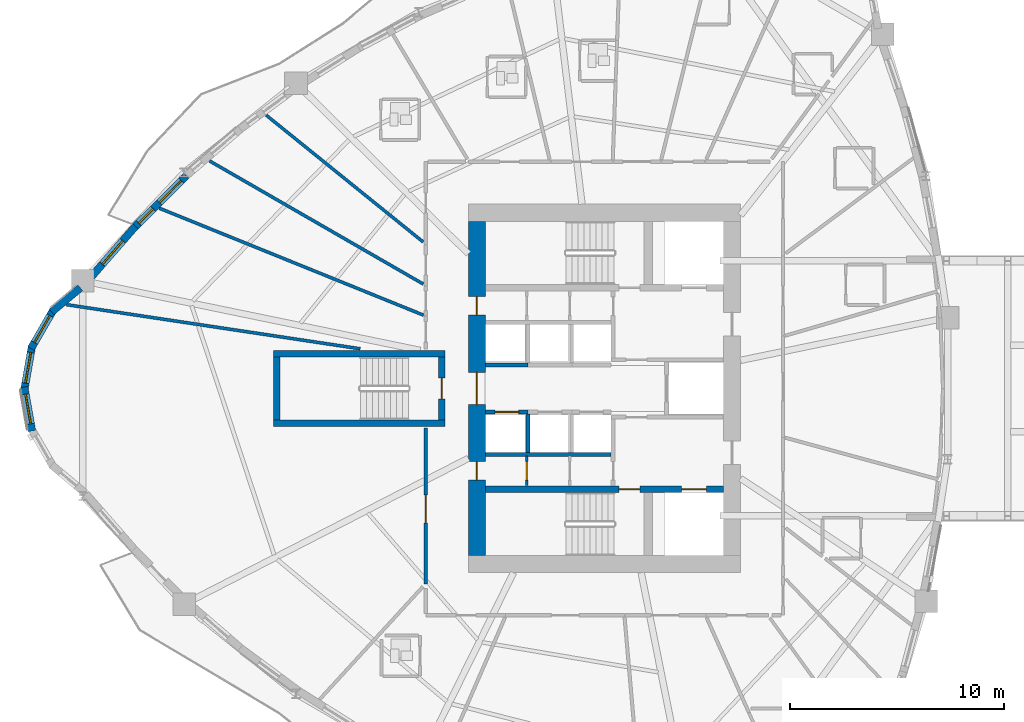
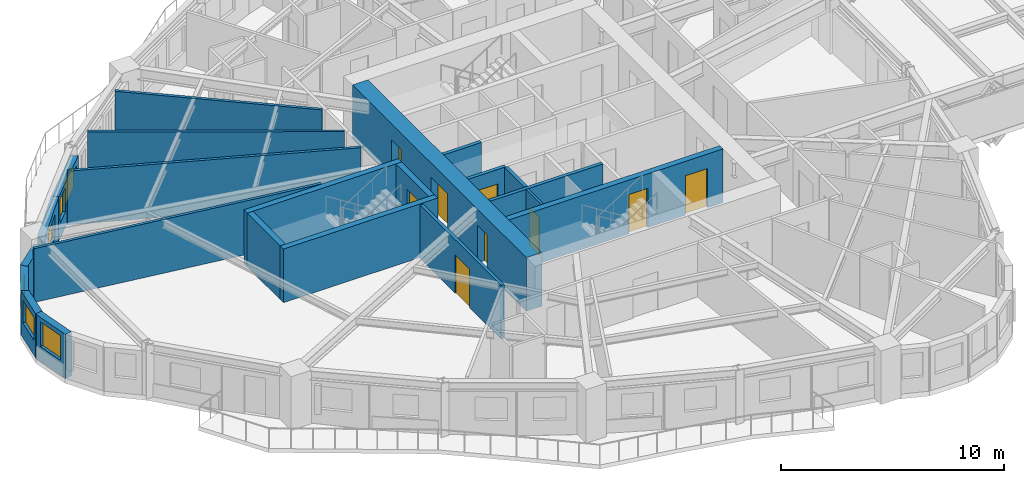
# One storey, part 5 of 16: 22 walls, 9 doors, 6 windows, 15 openings.
"""IFC4 building model written with IfcOpenShell, lengths in metres."""

from ifc_helpers import new_model, si_unit, direction, frame, frame_2d, origin, place, context, subcontext, project, spatial, rectangle, extrude, source, transform, mapped, material, layer, layer_set, type_object, element, fill, save


model = new_model("IFC4")

# Units and contexts
model_context = context("Model", 3, precision=1e-05, world=origin(), true_north=direction((0.0, 1.0)))
body_context = subcontext(model_context, "Body", "Model", "MODEL_VIEW")
ifc_project = project(units=[si_unit("LENGTHUNIT", "METRE"), si_unit("AREAUNIT", "SQUARE_METRE"), si_unit("VOLUMEUNIT", "CUBIC_METRE"), si_unit("PLANEANGLEUNIT", "RADIAN"), si_unit("MASSUNIT", "GRAM", prefix="KILO")], contexts=[model_context])

# Site, building, storey
site_placement = place(None, origin())
site = spatial("IfcSite", under=ifc_project, at=site_placement, CompositionType="ELEMENT")
building_placement = place(site_placement, origin())
building = spatial("IfcBuilding", under=site, at=building_placement, Name="Qafzar Sky-Pleat Residences", CompositionType="ELEMENT")
storey_placement = place(building_placement, frame((0.0, 0.0, 33.39990234375)))
storey = spatial("IfcBuildingStorey", under=building, at=storey_placement, Name="L09", CompositionType="ELEMENT", Elevation=33.39990234375)

# Wall, opening, door
ifc_material_1 = material(Name="Acoustic gypsum plasterboard partition", Category="gypsum")
ifc_layer_1 = layer(ifc_material_1, 0.159912109375)
ifc_layer_set_1 = layer_set([ifc_layer_1], Name="Acoustic gypsum plasterboard partition")
wall_type_1 = type_object("IfcWallType", Name="PART-COR-160", PredefinedType="PARTITIONING", material=ifc_layer_set_1)
wall_1_placement = place(storey_placement, frame((22.02001953125, 16.883056640625, 0.0), z_axis=(0.0, 0.0, 1.0), x_axis=(0.0, 1.0, 0.0)))
wall_1 = element("IfcWall", 1, at=wall_1_placement, inside=storey, type_object=wall_type_1, Name="L09 Partition Wall PART-L09-PW-002", PredefinedType="PARTITIONING", context=body_context, shape_type="SweptSolid", body=[
    extrude(rectangle(XDim=7.266845703125, YDim=0.159912109375, at=frame_2d((3.63330078125, 0.0))), origin(), (0.0, 0.0, 1.0), 2.940185546875),
])
opening_1_placement = place(wall_1_placement, frame((2.844970703125, 0.0, 0.0)))
opening_1 = element("IfcOpeningElement", 2, at=opening_1_placement, cuts=wall_1, Name="Opening ID-05", PredefinedType="OPENING", context=body_context, shape_type="SweptSolid", body=[
    extrude(rectangle(XDim=1.300048828125, YDim=2.10009765625, at=frame_2d((0.64990234375, 1.050048828125))), frame((0.0, 0.08984375, 0.0), z_axis=(0.0, -1.0, 0.0), x_axis=(1.0, 0.0, 0.0)), (0.0, 0.0, 1.0), 0.179931640625),
])
ifc_material_2 = material(Name="Timber-faced fire door", Category="wood")
door_type_1 = type_object("IfcDoorType", Name="DR-LNG-1300", OperationType="DOUBLE_DOOR_SINGLE_SWING", PredefinedType="DOOR", material=ifc_material_2)
shared_shape_1 = source(origin(), body_context, "Body", "SweptSolid", [
    extrude(rectangle(XDim=1.300048828125, YDim=2.10009765625, at=frame_2d((0.64990234375, 1.050048828125))), frame((0.0, 0.02490234375, 0.0), z_axis=(0.0, -1.0, 0.0), x_axis=(1.0, 0.0, 0.0)), (0.0, 0.0, 1.0), 0.050048828125),
])
door_1_placement = place(opening_1_placement, origin())
door_1 = element("IfcDoor", 3, at=door_1_placement, inside=storey, type_object=door_type_1, Name="L09 Academic Seminar Room Door", OperationType="DOUBLE_DOOR_SINGLE_SWING", OverallHeight=2.10009765625, OverallWidth=1.300048828125, PredefinedType="DOOR", context=body_context, shape_type="MappedRepresentation", body=[
    mapped(shared_shape_1, transform((0.0, 0.0, 0.0), x_axis=(1.0, 0.0, 0.0), y_axis=(0.0, 1.0, 0.0), z_axis=(0.0, 0.0, 1.0), scale=1.0)),
])
fill(opening_1, door_1)

# Wall
ifc_material_3 = material(Name="Concrete blockwork partition", Category="masonry")
ifc_layer_2 = layer(ifc_material_3, 0.179931640625)
ifc_layer_set_2 = layer_set([ifc_layer_2], Name="Concrete blockwork partition")
wall_type_2 = type_object("IfcWallType", Name="PART-SHAFT-180", PredefinedType="PARTITIONING", material=ifc_layer_set_2)
wall_2_placement = place(storey_placement, frame((24.81005859375, 22.919921875, 0.0), z_axis=(0.0, 0.0, 1.0), x_axis=(1.0, 0.0, 0.0)))
element("IfcWall", 4, at=wall_2_placement, inside=storey, type_object=wall_type_2, Name="L09 Partition Wall PART-L09-P13-S", PredefinedType="PARTITIONING", context=body_context, shape_type="SweptSolid", body=[
    extrude(rectangle(XDim=5.83984375, YDim=0.179931640625, at=frame_2d((2.919921875, 0.0))), origin(), (0.0, 0.0, 1.0), 2.940185546875),
])

# Wall, opening, door
wall_3_placement = place(storey_placement, frame((24.81005859375, 24.89990234375, 0.0), z_axis=(0.0, 0.0, 1.0), x_axis=(1.0, 0.0, 0.0)))
wall_3 = element("IfcWall", 5, at=wall_3_placement, inside=storey, type_object=wall_type_2, Name="L09 Partition Wall PART-L09-P1-N", PredefinedType="PARTITIONING", context=body_context, shape_type="SweptSolid", body=[
    extrude(rectangle(XDim=1.96484375, YDim=0.179931640625, at=frame_2d((0.982421875, 0.0))), origin(), (0.0, 0.0, 1.0), 2.940185546875),
])
opening_2_placement = place(wall_3_placement, frame((0.4326171875, 0.0, 0.0)))
opening_2 = element("IfcOpeningElement", 6, at=opening_2_placement, cuts=wall_3, Name="Opening LD-01", PredefinedType="OPENING", context=body_context, shape_type="SweptSolid", body=[
    extrude(rectangle(XDim=1.10009765625, YDim=2.14990234375, at=frame_2d((0.550048828125, 1.074951171875))), frame((0.0, 0.10009765625, 0.0), z_axis=(0.0, -1.0, 0.0), x_axis=(1.0, 0.0, 0.0)), (0.0, 0.0, 1.0), 0.199951171875),
])
ifc_material_4 = material(Name="Stainless steel sliding landing door", Category="steel")
door_type_2 = type_object("IfcDoorType", Name="DR-LIFT-P", OperationType="DOUBLE_DOOR_SLIDING", PredefinedType="DOOR", material=ifc_material_4)
shared_shape_2 = source(origin(), body_context, "Body", "SweptSolid", [
    extrude(rectangle(XDim=1.10009765625, YDim=2.14990234375, at=frame_2d((0.550048828125, 1.074951171875))), frame((0.0, 0.02490234375, 0.0), z_axis=(0.0, -1.0, 0.0), x_axis=(1.0, 0.0, 0.0)), (0.0, 0.0, 1.0), 0.050048828125),
])
door_2_placement = place(opening_2_placement, origin())
door_2 = element("IfcDoor", 7, at=door_2_placement, inside=storey, type_object=door_type_2, Name="L09 Passenger Lift P1 Landing Door", OperationType="DOUBLE_DOOR_SLIDING", OverallHeight=2.14990234375, OverallWidth=1.10009765625, PredefinedType="DOOR", context=body_context, shape_type="MappedRepresentation", body=[
    mapped(shared_shape_2, transform((0.0, 0.0, 0.0), x_axis=(1.0, 0.0, 0.0), y_axis=(0.0, 1.0, 0.0), z_axis=(0.0, 0.0, 1.0), scale=1.0)),
])
fill(opening_2, door_2)

# Walls
wall_4_placement = place(storey_placement, frame((26.77490234375, 23.02001953125, 0.0), z_axis=(0.0, 0.0, 1.0), x_axis=(0.0, 1.0, 0.0)))
element("IfcWall", 8, at=wall_4_placement, inside=storey, type_object=wall_type_2, Name="L09 Partition Wall PART-L09-P13-DIV-1", PredefinedType="PARTITIONING", context=body_context, shape_type="SweptSolid", body=[
    extrude(rectangle(XDim=1.780029296875, YDim=0.179931640625, at=frame_2d((0.89013671875, 0.0))), origin(), (0.0, 0.0, 1.0), 2.940185546875),
])
wall_5_placement = place(storey_placement, frame((24.81005859375, 27.10009765625, 0.0), z_axis=(0.0, 0.0, 1.0), x_axis=(1.0, 0.0, 0.0)))
element("IfcWall", 9, at=wall_5_placement, inside=storey, type_object=wall_type_2, Name="L09 Partition Wall PART-L09-P4-S", PredefinedType="PARTITIONING", context=body_context, shape_type="SweptSolid", body=[
    extrude(rectangle(XDim=1.96484375, YDim=0.179931640625, at=frame_2d((0.982421875, 0.0))), origin(), (0.0, 0.0, 1.0), 2.940185546875),
])

# Wall, opening, door
ifc_material_5 = material(Name="Gypsum plasterboard partition", Category="gypsum")
ifc_layer_3 = layer(ifc_material_5, 0.114990234375)
ifc_layer_set_3 = layer_set([ifc_layer_3], Name="Gypsum plasterboard partition")
wall_type_3 = type_object("IfcWallType", Name="PART-SVC-115", PredefinedType="PARTITIONING", material=ifc_layer_set_3)
wall_6_placement = place(storey_placement, frame((26.72509765625, 21.4599609375, 0.0), z_axis=(0.0, 0.0, 1.0), x_axis=(0.0, 1.0, 0.0)))
wall_6 = element("IfcWall", 10, at=wall_6_placement, inside=storey, type_object=wall_type_3, Name="L09 Partition Wall PART-L09-KC-SW-1", PredefinedType="PARTITIONING", context=body_context, shape_type="SweptSolid", body=[
    extrude(rectangle(XDim=1.380126953125, YDim=0.114990234375, at=frame_2d((0.68994140625, 0.0))), origin(), (0.0, 0.0, 1.0), 2.940185546875),
])
opening_3_placement = place(wall_6_placement, frame((0.260009765625, 0.0, 0.0)))
opening_3 = element("IfcOpeningElement", 11, at=opening_3_placement, cuts=wall_6, Name="Opening ID-09", PredefinedType="OPENING", context=body_context, shape_type="SweptSolid", body=[
    extrude(rectangle(XDim=0.860107421875, YDim=2.050048828125, at=frame_2d((0.43017578125, 1.02490234375))), frame((0.0, 0.0673828125, 0.0), z_axis=(0.0, -1.0, 0.0), x_axis=(1.0, 0.0, 0.0)), (0.0, 0.0, 1.0), 0.135009765625),
])
door_type_3 = type_object("IfcDoorType", Name="DR-SVC-860", OperationType="NOTDEFINED", PredefinedType="DOOR", material=ifc_material_2)
shared_shape_3 = source(origin(), body_context, "Body", "SweptSolid", [
    extrude(rectangle(XDim=0.860107421875, YDim=2.050048828125, at=frame_2d((0.43017578125, 1.02490234375))), frame((0.0, 0.02490234375, 0.0), z_axis=(0.0, -1.0, 0.0), x_axis=(1.0, 0.0, 0.0)), (0.0, 0.0, 1.0), 0.050048828125),
])
door_3_placement = place(opening_3_placement, origin())
door_3 = element("IfcDoor", 12, at=door_3_placement, inside=storey, type_object=door_type_3, Name="L09 Core South Cupboard 1 Door", OperationType="SINGLE_SWING_RIGHT", OverallHeight=2.050048828125, OverallWidth=0.860107421875, PredefinedType="DOOR", context=body_context, shape_type="MappedRepresentation", body=[
    mapped(shared_shape_3, transform((0.0, 0.0, 0.0), x_axis=(1.0, 0.0, 0.0), y_axis=(0.0, 1.0, 0.0), z_axis=(0.0, 0.0, 1.0), scale=1.0)),
])
fill(opening_3, door_3)

# Walls
ifc_layer_4 = layer(ifc_material_1, 0.14501953125)
ifc_layer_set_4 = layer_set([ifc_layer_4], Name="Acoustic gypsum plasterboard partition")
wall_type_4 = type_object("IfcWallType", Name="PART-UNIT-145", PredefinedType="PARTITIONING", material=ifc_layer_set_4)
wall_7_placement = place(storey_placement, frame((5.242431640625, 29.91015625, 0.0), z_axis=(0.0, 0.0, 1.0), x_axis=(0.988899381561, -0.148586719285, 0.0)))
element("IfcWall", 13, at=wall_7_placement, inside=storey, type_object=wall_type_4, Name="L09 Partition Wall PART-L09-PW-033", PredefinedType="PARTITIONING", context=body_context, shape_type="SweptSolid", body=[
    extrude(rectangle(XDim=13.8642578125, YDim=0.14501953125, at=frame_2d((6.93212890625, 0.0))), origin(), (0.0, 0.0, 1.0), 2.940185546875),
])
wall_8_placement = place(storey_placement, frame((9.577392578125, 34.410400390625, 0.0), z_axis=(0.0, 0.0, 1.0), x_axis=(0.926920362809, -0.375258099194, 0.0)))
element("IfcWall", 14, at=wall_8_placement, inside=storey, type_object=wall_type_4, Name="L09 Partition Wall PART-L09-PW-034", PredefinedType="PARTITIONING", context=body_context, shape_type="SweptSolid", body=[
    extrude(rectangle(XDim=13.300048828125, YDim=0.14501953125, at=frame_2d((6.64990234375, 0.0))), origin(), (0.0, 0.0, 1.0), 2.940185546875),
])
wall_9_placement = place(storey_placement, frame((11.92041015625, 36.617919921875, 0.0), z_axis=(0.0, 0.0, 1.0), x_axis=(0.866473494239, -0.499223080177, 0.0)))
element("IfcWall", 15, at=wall_9_placement, inside=storey, type_object=wall_type_4, Name="L09 Partition Wall PART-L09-PW-036", PredefinedType="PARTITIONING", context=body_context, shape_type="SweptSolid", body=[
    extrude(rectangle(XDim=11.513916015625, YDim=0.14501953125, at=frame_2d((5.7568359375, 0.0))), origin(), (0.0, 0.0, 1.0), 2.940185546875),
])
wall_10_placement = place(storey_placement, frame((14.56591796875, 38.750732421875, 0.0), z_axis=(0.0, 0.0, 1.0), x_axis=(0.777881688073, -0.628410756879, 0.0)))
element("IfcWall", 16, at=wall_10_placement, inside=storey, type_object=wall_type_4, Name="L09 Partition Wall PART-L09-PW-038", PredefinedType="PARTITIONING", context=body_context, shape_type="SweptSolid", body=[
    extrude(rectangle(XDim=9.4130859375, YDim=0.14501953125, at=frame_2d((4.70654296875, 0.0))), origin(), (0.0, 0.0, 1.0), 2.940185546875),
])
ifc_material_6 = material(Name="Precast concrete C40/50 with honed Riyadh limestone", Category="concrete")
ifc_layer_5 = layer(ifc_material_6, 0.35009765625)
ifc_layer_set_5 = layer_set([ifc_layer_5], Name="Precast concrete C40/50 with honed Riyadh limestone")
wall_type_5 = type_object("IfcWallType", Name="WALL-EXT-350", PredefinedType="SOLIDWALL", material=ifc_layer_set_5)
wall_11_placement = place(storey_placement, frame((5.892578125, 30.696044921875, 0.0), z_axis=(0.0, 0.0, 1.0), x_axis=(-0.766001205563, -0.64283913468, 0.0)))
element("IfcWall", 17, at=wall_11_placement, inside=storey, type_object=wall_type_5, Name="L09 Limestone Facade Wall 1", PredefinedType="SOLIDWALL", context=body_context, shape_type="SweptSolid", body=[
    extrude(rectangle(XDim=1.75244140625, YDim=0.35009765625, at=frame_2d((0.876220703125, 0.0))), origin(), (0.0, 0.0, 1.0), 2.420166015625),
])

# Wall, opening, window
wall_12_placement = place(storey_placement, frame((4.637451171875, 29.673583984375, 0.0), z_axis=(0.0, 0.0, 1.0), x_axis=(-0.499995423472, -0.866028046028, 0.0)))
wall_12 = element("IfcWall", 18, at=wall_12_placement, inside=storey, type_object=wall_type_5, Name="L09 Limestone Facade Wall 2", PredefinedType="SOLIDWALL", context=body_context, shape_type="SweptSolid", body=[
    extrude(rectangle(XDim=2.09033203125, YDim=0.35009765625, at=frame_2d((1.045166015625, 0.0))), origin(), (0.0, 0.0, 1.0), 2.420166015625),
])
opening_4_placement = place(wall_12_placement, frame((0.3203125, 0.0, 0.820068359375)))
opening_4 = element("IfcOpeningElement", 19, at=opening_4_placement, cuts=wall_12, Name="Opening WN-15", PredefinedType="OPENING", context=body_context, shape_type="SweptSolid", body=[
    extrude(rectangle(XDim=1.449951171875, YDim=1.25, at=frame_2d((0.72509765625, 0.625))), frame((0.0, 0.18505859375, 0.0), z_axis=(0.0, -1.0, 0.0), x_axis=(1.0, 0.0, 0.0)), (0.0, 0.0, 1.0), 0.3701171875),
])
ifc_material_7 = material(Name="Solar-control low-E glass in bronze aluminium frame", Category="glass")
window_type_1 = type_object("IfcWindowType", Name="WIN-15", PartitioningType="SINGLE_PANEL", PredefinedType="WINDOW", material=ifc_material_7)
shared_shape_4 = source(origin(), body_context, "Body", "SweptSolid", [
    extrude(rectangle(XDim=1.449951171875, YDim=1.25, at=frame_2d((0.72509765625, 0.625))), frame((0.0, 0.030029296875, 0.0), z_axis=(0.0, -1.0, 0.0), x_axis=(1.0, 0.0, 0.0)), (0.0, 0.0, 1.0), 0.06005859375),
])
window_1_placement = place(opening_4_placement, origin())
window_1 = element("IfcWindow", 20, at=window_1_placement, inside=storey, type_object=window_type_1, Name="L09 Punched Facade Window 02", OverallHeight=1.25, OverallWidth=1.449951171875, PartitioningType="SINGLE_PANEL", PredefinedType="WINDOW", context=body_context, shape_type="MappedRepresentation", body=[
    mapped(shared_shape_4, transform((0.0, 0.0, 0.0), x_axis=(1.0, 0.0, 0.0), y_axis=(0.0, 1.0, 0.0), z_axis=(0.0, 0.0, 1.0), scale=1.0)),
])
fill(opening_4, window_1)

wall_13_placement = place(storey_placement, frame((3.638671875, 27.99072265625, 0.0), z_axis=(0.0, 0.0, 1.0), x_axis=(-0.173672066494, -0.984803540469, 0.0)))
wall_13 = element("IfcWall", 21, at=wall_13_placement, inside=storey, type_object=wall_type_5, Name="L09 Limestone Facade Wall 3", PredefinedType="SOLIDWALL", context=body_context, shape_type="SweptSolid", body=[
    extrude(rectangle(XDim=2.09033203125, YDim=0.35009765625, at=frame_2d((1.045166015625, 0.0))), origin(), (0.0, 0.0, 1.0), 2.420166015625),
])
opening_5_placement = place(wall_13_placement, frame((0.3203125, 0.0, 0.820068359375)))
opening_5 = element("IfcOpeningElement", 22, at=opening_5_placement, cuts=wall_13, Name="Opening WN-15", PredefinedType="OPENING", context=body_context, shape_type="SweptSolid", body=[
    extrude(rectangle(XDim=1.449951171875, YDim=1.25, at=frame_2d((0.72509765625, 0.625))), frame((0.0, 0.18505859375, 0.0), z_axis=(0.0, -1.0, 0.0), x_axis=(1.0, 0.0, 0.0)), (0.0, 0.0, 1.0), 0.3701171875),
])
window_2_placement = place(opening_5_placement, origin())
window_2 = element("IfcWindow", 23, at=window_2_placement, inside=storey, type_object=window_type_1, Name="L09 Punched Facade Window 03", OverallHeight=1.25, OverallWidth=1.449951171875, PartitioningType="SINGLE_PANEL", PredefinedType="WINDOW", context=body_context, shape_type="MappedRepresentation", body=[
    mapped(shared_shape_4, transform((0.0, 0.0, 0.0), x_axis=(1.0, 0.0, 0.0), y_axis=(0.0, 1.0, 0.0), z_axis=(0.0, 0.0, 1.0), scale=1.0)),
])
fill(opening_5, window_2)

wall_14_placement = place(storey_placement, frame((3.275634765625, 26.06787109375, 0.0), z_axis=(0.0, 0.0, 1.0), x_axis=(0.173672066494, -0.984803540469, 0.0)))
wall_14 = element("IfcWall", 24, at=wall_14_placement, inside=storey, type_object=wall_type_5, Name="L09 Limestone Facade Wall 4", PredefinedType="SOLIDWALL", context=body_context, shape_type="SweptSolid", body=[
    extrude(rectangle(XDim=2.09033203125, YDim=0.35009765625, at=frame_2d((1.045166015625, 0.0))), origin(), (0.0, 0.0, 1.0), 2.420166015625),
])
opening_6_placement = place(wall_14_placement, frame((0.34521484375, 0.0, 0.820068359375)))
opening_6 = element("IfcOpeningElement", 25, at=opening_6_placement, cuts=wall_14, Name="Opening WN-10", PredefinedType="OPENING", context=body_context, shape_type="SweptSolid", body=[
    extrude(rectangle(XDim=1.39990234375, YDim=1.35009765625, at=frame_2d((0.699951171875, 0.675048828125))), frame((0.0, 0.18505859375, 0.0), z_axis=(0.0, -1.0, 0.0), x_axis=(1.0, 0.0, 0.0)), (0.0, 0.0, 1.0), 0.3701171875),
])
window_type_2 = type_object("IfcWindowType", Name="WIN-10", PartitioningType="SINGLE_PANEL", PredefinedType="WINDOW", material=ifc_material_7)
shared_shape_5 = source(origin(), body_context, "Body", "SweptSolid", [
    extrude(rectangle(XDim=1.39990234375, YDim=1.35009765625, at=frame_2d((0.699951171875, 0.675048828125))), frame((0.0, 0.030029296875, 0.0), z_axis=(0.0, -1.0, 0.0), x_axis=(1.0, 0.0, 0.0)), (0.0, 0.0, 1.0), 0.06005859375),
])
window_3_placement = place(opening_6_placement, origin())
window_3 = element("IfcWindow", 26, at=window_3_placement, inside=storey, type_object=window_type_2, Name="L09 Punched Facade Window 04", OverallHeight=1.35009765625, OverallWidth=1.39990234375, PartitioningType="SINGLE_PANEL", PredefinedType="WINDOW", context=body_context, shape_type="MappedRepresentation", body=[
    mapped(shared_shape_5, transform((0.0, 0.0, 0.0), x_axis=(1.0, 0.0, 0.0), y_axis=(0.0, 1.0, 0.0), z_axis=(0.0, 0.0, 1.0), scale=1.0)),
])
fill(opening_6, window_3)

# Wall, openings, windows
wall_15_placement = place(storey_placement, frame((10.84130859375, 35.932373046875, 0.0), z_axis=(0.0, 0.0, 1.0), x_axis=(-0.708383272101, -0.70582798174, 0.0)))
wall_15 = element("IfcWall", 27, at=wall_15_placement, inside=storey, type_object=wall_type_5, Name="L09 Limestone Facade Wall 47", PredefinedType="SOLIDWALL", context=body_context, shape_type="SweptSolid", body=[
    extrude(rectangle(XDim=3.439453125, YDim=0.35009765625, at=frame_2d((1.7197265625, 0.0))), origin(), (0.0, 0.0, 1.0), 2.420166015625),
])
opening_7_placement = place(wall_15_placement, frame((0.334228515625, 0.0, 0.820068359375)))
opening_7 = element("IfcOpeningElement", 28, at=opening_7_placement, cuts=wall_15, Name="Opening WN-15", PredefinedType="OPENING", context=body_context, shape_type="SweptSolid", body=[
    extrude(rectangle(XDim=1.449951171875, YDim=1.25, at=frame_2d((0.72509765625, 0.625))), frame((0.0, 0.18505859375, 0.0), z_axis=(0.0, -1.0, 0.0), x_axis=(1.0, 0.0, 0.0)), (0.0, 0.0, 1.0), 0.3701171875),
])
opening_8_placement = place(wall_15_placement, frame((2.194091796875, 0.0, 0.820068359375)))
opening_8 = element("IfcOpeningElement", 29, at=opening_8_placement, cuts=wall_15, Name="Opening WN-12", PredefinedType="OPENING", context=body_context, shape_type="SweptSolid", body=[
    extrude(rectangle(XDim=0.949951171875, YDim=1.35009765625, at=frame_2d((0.47509765625, 0.675048828125))), frame((0.0, 0.18505859375, 0.0), z_axis=(0.0, -1.0, 0.0), x_axis=(1.0, 0.0, 0.0)), (0.0, 0.0, 1.0), 0.3701171875),
])
window_type_3 = type_object("IfcWindowType", Name="WIN-12", PartitioningType="SINGLE_PANEL", PredefinedType="WINDOW", material=ifc_material_7)
shared_shape_6 = source(origin(), body_context, "Body", "SweptSolid", [
    extrude(rectangle(XDim=0.949951171875, YDim=1.35009765625, at=frame_2d((0.47509765625, 0.675048828125))), frame((0.0, 0.030029296875, 0.0), z_axis=(0.0, -1.0, 0.0), x_axis=(1.0, 0.0, 0.0)), (0.0, 0.0, 1.0), 0.06005859375),
])
window_4_placement = place(opening_8_placement, origin())
window_4 = element("IfcWindow", 30, at=window_4_placement, inside=storey, type_object=window_type_3, Name="L09 Punched Facade Window 47-2", OverallHeight=1.35009765625, OverallWidth=0.949951171875, PartitioningType="SINGLE_PANEL", PredefinedType="WINDOW", context=body_context, shape_type="MappedRepresentation", body=[
    mapped(shared_shape_6, transform((0.0, 0.0, 0.0), x_axis=(1.0, 0.0, 0.0), y_axis=(0.0, 1.0, 0.0), z_axis=(0.0, 0.0, 1.0), scale=1.0)),
])
fill(opening_8, window_4)
window_5_placement = place(opening_7_placement, origin())
window_5 = element("IfcWindow", 31, at=window_5_placement, inside=storey, type_object=window_type_1, Name="L09 Punched Facade Window 47", OverallHeight=1.25, OverallWidth=1.449951171875, PartitioningType="SINGLE_PANEL", PredefinedType="WINDOW", context=body_context, shape_type="MappedRepresentation", body=[
    mapped(shared_shape_4, transform((0.0, 0.0, 0.0), x_axis=(1.0, 0.0, 0.0), y_axis=(0.0, 1.0, 0.0), z_axis=(0.0, 0.0, 1.0), scale=1.0)),
])
fill(opening_7, window_5)

# Wall, opening, window
wall_16_placement = place(storey_placement, frame((8.46484375, 33.569091796875, 0.0), z_axis=(0.0, 0.0, 1.0), x_axis=(-0.657600500685, -0.753366830634, 0.0)))
wall_16 = element("IfcWall", 32, at=wall_16_placement, inside=storey, type_object=wall_type_5, Name="L09 Limestone Facade Wall 48", PredefinedType="SOLIDWALL", context=body_context, shape_type="SweptSolid", body=[
    extrude(rectangle(XDim=3.232666015625, YDim=0.35009765625, at=frame_2d((1.6162109375, 0.0))), origin(), (0.0, 0.0, 1.0), 2.420166015625),
])
opening_9_placement = place(wall_16_placement, frame((0.896240234375, 0.0, 0.820068359375)))
opening_9 = element("IfcOpeningElement", 33, at=opening_9_placement, cuts=wall_16, Name="Opening WN-15", PredefinedType="OPENING", context=body_context, shape_type="SweptSolid", body=[
    extrude(rectangle(XDim=1.449951171875, YDim=1.25, at=frame_2d((0.72509765625, 0.625))), frame((0.0, 0.18505859375, 0.0), z_axis=(0.0, -1.0, 0.0), x_axis=(1.0, 0.0, 0.0)), (0.0, 0.0, 1.0), 0.3701171875),
])
window_6_placement = place(opening_9_placement, origin())
window_6 = element("IfcWindow", 34, at=window_6_placement, inside=storey, type_object=window_type_1, Name="L09 Punched Facade Window 48", OverallHeight=1.25, OverallWidth=1.449951171875, PartitioningType="SINGLE_PANEL", PredefinedType="WINDOW", context=body_context, shape_type="MappedRepresentation", body=[
    mapped(shared_shape_4, transform((0.0, 0.0, 0.0), x_axis=(1.0, 0.0, 0.0), y_axis=(0.0, 1.0, 0.0), z_axis=(0.0, 0.0, 1.0), scale=1.0)),
])
fill(opening_9, window_6)

# Wall, openings, doors
ifc_material_8 = material(Name="Concrete C60/75", Category="concrete")
ifc_layer_6 = layer(ifc_material_8, 0.300048828125)
ifc_layer_set_6 = layer_set([ifc_layer_6], Name="Concrete C60/75")
wall_type_6 = type_object("IfcWallType", Name="WALL-SHEAR-300", PredefinedType="SHEAR", material=ifc_layer_set_6)
wall_17_placement = place(storey_placement, frame((24.800048828125, 21.300048828125, 0.0), z_axis=(0.0, 0.0, 1.0), x_axis=(1.0, 0.0, 0.0)))
wall_17 = element("IfcWall", 35, at=wall_17_placement, inside=storey, type_object=wall_type_6, Name="L09 Stair ST1 and FF1 Shaft North Wall", PredefinedType="SHEAR", context=body_context, shape_type="SweptSolid", body=[
    extrude(rectangle(XDim=11.099853515625, YDim=0.300048828125, at=frame_2d((5.5498046875, 0.0))), origin(), (0.0, 0.0, 1.0), 2.940185546875),
])
opening_10_placement = place(wall_17_placement, frame((6.219970703125, 0.0, 0.0)))
opening_10 = element("IfcOpeningElement", 36, at=opening_10_placement, cuts=wall_17, Name="Opening ID-01", PredefinedType="OPENING", context=body_context, shape_type="SweptSolid", body=[
    extrude(rectangle(XDim=0.97998046875, YDim=2.14990234375, at=frame_2d((0.489990234375, 1.074951171875))), frame((0.0, 0.16015625, 0.0), z_axis=(0.0, -1.0, 0.0), x_axis=(1.0, 0.0, 0.0)), (0.0, 0.0, 1.0), 0.320068359375),
])
opening_11_placement = place(wall_17_placement, frame((9.14990234375, 0.0, 0.0)))
opening_11 = element("IfcOpeningElement", 37, at=opening_11_placement, cuts=wall_17, Name="Opening LD-02", PredefinedType="OPENING", context=body_context, shape_type="SweptSolid", body=[
    extrude(rectangle(XDim=1.14990234375, YDim=2.14990234375, at=frame_2d((0.574951171875, 1.074951171875))), frame((0.0, 0.16015625, 0.0), z_axis=(0.0, -1.0, 0.0), x_axis=(1.0, 0.0, 0.0)), (0.0, 0.0, 1.0), 0.320068359375),
])
door_type_4 = type_object("IfcDoorType", Name="DR-STAIR-980", OperationType="NOTDEFINED", PredefinedType="DOOR", material=ifc_material_2)
shared_shape_7 = source(origin(), body_context, "Body", "SweptSolid", [
    extrude(rectangle(XDim=0.97998046875, YDim=2.14990234375, at=frame_2d((0.489990234375, 1.074951171875))), frame((0.0, 0.02490234375, 0.0), z_axis=(0.0, -1.0, 0.0), x_axis=(1.0, 0.0, 0.0)), (0.0, 0.0, 1.0), 0.050048828125),
])
door_4_placement = place(opening_10_placement, origin())
door_4 = element("IfcDoor", 38, at=door_4_placement, inside=storey, type_object=door_type_4, Name="L09 Stair ST1 Fire Door", OperationType="SINGLE_SWING_LEFT", OverallHeight=2.14990234375, OverallWidth=0.97998046875, PredefinedType="DOOR", context=body_context, shape_type="MappedRepresentation", body=[
    mapped(shared_shape_7, transform((0.0, 0.0, 0.0), x_axis=(1.0, 0.0, 0.0), y_axis=(0.0, 1.0, 0.0), z_axis=(0.0, 0.0, 1.0), scale=1.0)),
])
fill(opening_10, door_4)
door_type_5 = type_object("IfcDoorType", Name="DR-LIFT-FF", OperationType="DOUBLE_DOOR_SLIDING", PredefinedType="DOOR", material=ifc_material_4)
shared_shape_8 = source(origin(), body_context, "Body", "SweptSolid", [
    extrude(rectangle(XDim=1.14990234375, YDim=2.14990234375, at=frame_2d((0.574951171875, 1.074951171875))), frame((0.0, 0.02490234375, 0.0), z_axis=(0.0, -1.0, 0.0), x_axis=(1.0, 0.0, 0.0)), (0.0, 0.0, 1.0), 0.050048828125),
])
door_5_placement = place(opening_11_placement, origin())
door_5 = element("IfcDoor", 39, at=door_5_placement, inside=storey, type_object=door_type_5, Name="L09 Firefighting Lift FF1 Landing Door", OperationType="DOUBLE_DOOR_SLIDING", OverallHeight=2.14990234375, OverallWidth=1.14990234375, PredefinedType="DOOR", context=body_context, shape_type="MappedRepresentation", body=[
    mapped(shared_shape_8, transform((0.0, 0.0, 0.0), x_axis=(1.0, 0.0, 0.0), y_axis=(0.0, 1.0, 0.0), z_axis=(0.0, 0.0, 1.0), scale=1.0)),
])
fill(opening_11, door_5)

# Walls
for number, where, z_axis, x_axis, name in (
    (40, (14.89990234375, 24.375, 0.0), (0.0, 0.0, 1.0), (1.0, 0.0, 0.0), "L09 ST3 wall S"),
    (41, (22.89990234375, 27.625, 0.0), (0.0, 0.0, 1.0), (-1.0, 0.0, 0.0), "L09 ST3 wall N"),
):
    element("IfcWall", number, at=place(storey_placement, frame(where, z_axis=z_axis, x_axis=x_axis)), inside=storey, type_object=wall_type_6, Name=name, PredefinedType="SHEAR", context=body_context, shape_type="SweptSolid", body=[
        extrude(rectangle(XDim=8.0, YDim=0.300048828125, at=frame_2d((4.0, 0.0))), origin(), (0.0, 0.0, 1.0), 2.940185546875),
    ])
wall_18_placement = place(storey_placement, frame((15.050048828125, 27.47509765625, 0.0), z_axis=(0.0, 0.0, 1.0), x_axis=(0.0, -1.0, 0.0)))
element("IfcWall", 42, at=wall_18_placement, inside=storey, type_object=wall_type_6, Name="L09 ST3 wall W", PredefinedType="SHEAR", context=body_context, shape_type="SweptSolid", body=[
    extrude(rectangle(XDim=2.9501953125, YDim=0.300048828125, at=frame_2d((1.47509765625, 0.0))), origin(), (0.0, 0.0, 1.0), 2.940185546875),
])

# Wall, opening, door
wall_19_placement = place(storey_placement, frame((22.75, 24.52490234375, 0.0), z_axis=(0.0, 0.0, 1.0), x_axis=(0.0, 1.0, 0.0)))
wall_19 = element("IfcWall", 43, at=wall_19_placement, inside=storey, type_object=wall_type_6, Name="L09 ST3 wall E", PredefinedType="SHEAR", context=body_context, shape_type="SweptSolid", body=[
    extrude(rectangle(XDim=2.9501953125, YDim=0.300048828125, at=frame_2d((1.47509765625, 0.0))), origin(), (0.0, 0.0, 1.0), 2.940185546875),
])
opening_12_placement = place(wall_19_placement, frame((0.985107421875, 0.0, 0.0)))
opening_12 = element("IfcOpeningElement", 44, at=opening_12_placement, cuts=wall_19, Name="Opening ID-01", PredefinedType="OPENING", context=body_context, shape_type="SweptSolid", body=[
    extrude(rectangle(XDim=0.97998046875, YDim=2.14990234375, at=frame_2d((0.489990234375, 1.074951171875))), frame((0.0, 0.16015625, 0.0), z_axis=(0.0, -1.0, 0.0), x_axis=(1.0, 0.0, 0.0)), (0.0, 0.0, 1.0), 0.320068359375),
])
door_6_placement = place(opening_12_placement, origin())
door_6 = element("IfcDoor", 45, at=door_6_placement, inside=storey, type_object=door_type_4, Name="L09 Stair ST3 Fire Door", OperationType="SINGLE_SWING_LEFT", OverallHeight=2.14990234375, OverallWidth=0.97998046875, PredefinedType="DOOR", context=body_context, shape_type="MappedRepresentation", body=[
    mapped(shared_shape_7, transform((0.0, 0.0, 0.0), x_axis=(1.0, 0.0, 0.0), y_axis=(0.0, 1.0, 0.0), z_axis=(0.0, 0.0, 1.0), scale=1.0)),
])
fill(opening_12, door_6)

# Wall, openings, doors
ifc_layer_7 = layer(ifc_material_8, 0.800048828125)
ifc_layer_set_7 = layer_set([ifc_layer_7], Name="Concrete C60/75")
wall_type_7 = type_object("IfcWallType", Name="WALL-SHEAR-800", PredefinedType="SHEAR", material=ifc_layer_set_7)
wall_20_placement = place(storey_placement, frame((24.39990234375, 33.800048828125, 0.0), z_axis=(0.0, 0.0, 1.0), x_axis=(0.0, -1.0, 0.0)))
wall_20 = element("IfcWall", 46, at=wall_20_placement, inside=storey, type_object=wall_type_7, Name="L09 CORE wall W", PredefinedType="SHEAR", context=body_context, shape_type="SweptSolid", body=[
    extrude(rectangle(XDim=15.60009765625, YDim=0.800048828125, at=frame_2d((7.800048828125, 0.0))), origin(), (0.0, 0.0, 1.0), 2.940185546875),
])
opening_13_placement = place(wall_20_placement, frame((7.050048828125, 0.0, 0.0)))
opening_13 = element("IfcOpeningElement", 47, at=opening_13_placement, cuts=wall_20, Name="Opening ID-03", PredefinedType="OPENING", context=body_context, shape_type="SweptSolid", body=[
    extrude(rectangle(XDim=1.5, YDim=2.14990234375, at=frame_2d((0.75, 1.074951171875))), frame((0.0, 0.41015625, 0.0), z_axis=(0.0, -1.0, 0.0), x_axis=(1.0, 0.0, 0.0)), (0.0, 0.0, 1.0), 0.820068359375),
])
opening_14_placement = place(wall_20_placement, frame((3.52001953125, 0.0, 0.0)))
opening_14 = element("IfcOpeningElement", 48, at=opening_14_placement, cuts=wall_20, Name="Opening ID-09", PredefinedType="OPENING", context=body_context, shape_type="SweptSolid", body=[
    extrude(rectangle(XDim=0.860107421875, YDim=2.050048828125, at=frame_2d((0.43017578125, 1.02490234375))), frame((0.0, 0.41015625, 0.0), z_axis=(0.0, -1.0, 0.0), x_axis=(1.0, 0.0, 0.0)), (0.0, 0.0, 1.0), 0.820068359375),
])
opening_15_placement = place(wall_20_placement, frame((11.219970703125, 0.0, 0.0)))
opening_15 = element("IfcOpeningElement", 49, at=opening_15_placement, cuts=wall_20, Name="Opening ID-09", PredefinedType="OPENING", context=body_context, shape_type="SweptSolid", body=[
    extrude(rectangle(XDim=0.860107421875, YDim=2.050048828125, at=frame_2d((0.43017578125, 1.02490234375))), frame((0.0, 0.41015625, 0.0), z_axis=(0.0, -1.0, 0.0), x_axis=(1.0, 0.0, 0.0)), (0.0, 0.0, 1.0), 0.820068359375),
])
door_type_6 = type_object("IfcDoorType", Name="DR-COR-1500", OperationType="DOUBLE_DOOR_SINGLE_SWING", PredefinedType="DOOR", material=ifc_material_2)
shared_shape_9 = source(origin(), body_context, "Body", "SweptSolid", [
    extrude(rectangle(XDim=1.5, YDim=2.14990234375, at=frame_2d((0.75, 1.074951171875))), frame((0.0, 0.02490234375, 0.0), z_axis=(0.0, -1.0, 0.0), x_axis=(1.0, 0.0, 0.0)), (0.0, 0.0, 1.0), 0.050048828125),
])
door_7_placement = place(opening_13_placement, origin())
door_7 = element("IfcDoor", 50, at=door_7_placement, inside=storey, type_object=door_type_6, Name="L09 Lift Lobby West Double Door", OperationType="DOUBLE_DOOR_SINGLE_SWING", OverallHeight=2.14990234375, OverallWidth=1.5, PredefinedType="DOOR", context=body_context, shape_type="MappedRepresentation", body=[
    mapped(shared_shape_9, transform((0.0, 0.0, 0.0), x_axis=(1.0, 0.0, 0.0), y_axis=(0.0, 1.0, 0.0), z_axis=(0.0, 0.0, 1.0), scale=1.0)),
])
fill(opening_13, door_7)
door_8_placement = place(opening_14_placement, origin())
door_8 = element("IfcDoor", 51, at=door_8_placement, inside=storey, type_object=door_type_3, Name="L09 Core North-West Service Door", OperationType="SINGLE_SWING_RIGHT", OverallHeight=2.050048828125, OverallWidth=0.860107421875, PredefinedType="DOOR", context=body_context, shape_type="MappedRepresentation", body=[
    mapped(shared_shape_3, transform((0.0, 0.0, 0.0), x_axis=(1.0, 0.0, 0.0), y_axis=(0.0, 1.0, 0.0), z_axis=(0.0, 0.0, 1.0), scale=1.0)),
])
fill(opening_14, door_8)
door_9_placement = place(opening_15_placement, origin())
door_9 = element("IfcDoor", 52, at=door_9_placement, inside=storey, type_object=door_type_3, Name="L09 Core South-West Service Door", OperationType="SINGLE_SWING_LEFT", OverallHeight=2.050048828125, OverallWidth=0.860107421875, PredefinedType="DOOR", context=body_context, shape_type="MappedRepresentation", body=[
    mapped(shared_shape_3, transform((0.0, 0.0, 0.0), x_axis=(1.0, 0.0, 0.0), y_axis=(0.0, 1.0, 0.0), z_axis=(0.0, 0.0, 1.0), scale=1.0)),
])
fill(opening_15, door_9)

save(model, "model.ifc")
